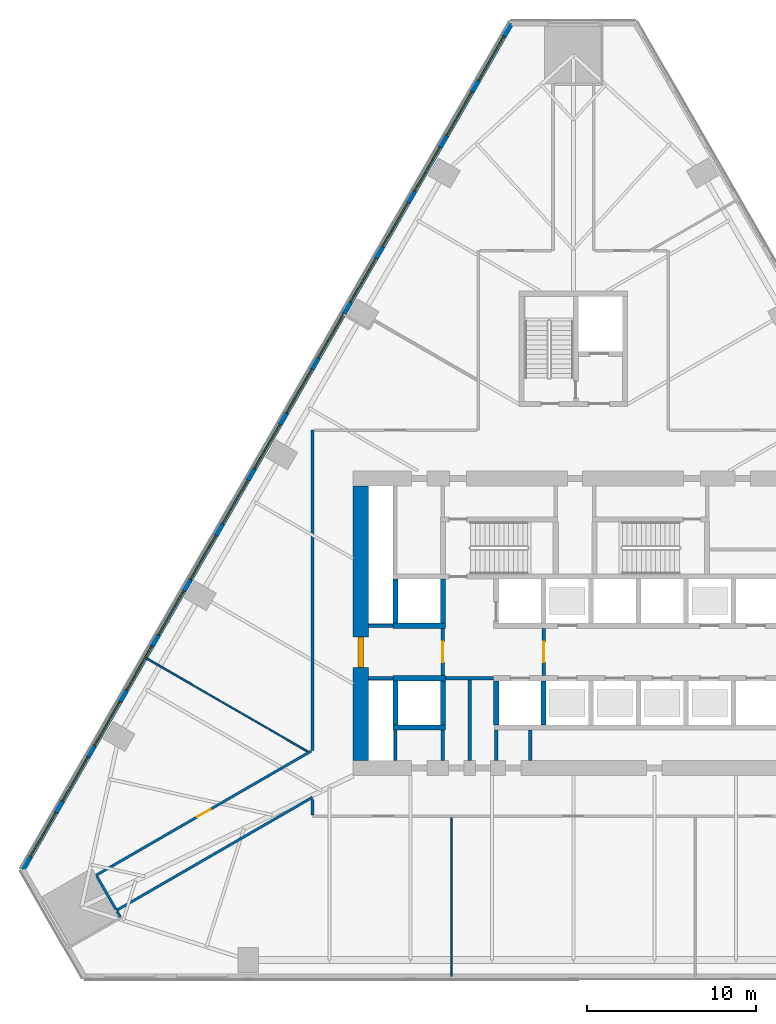
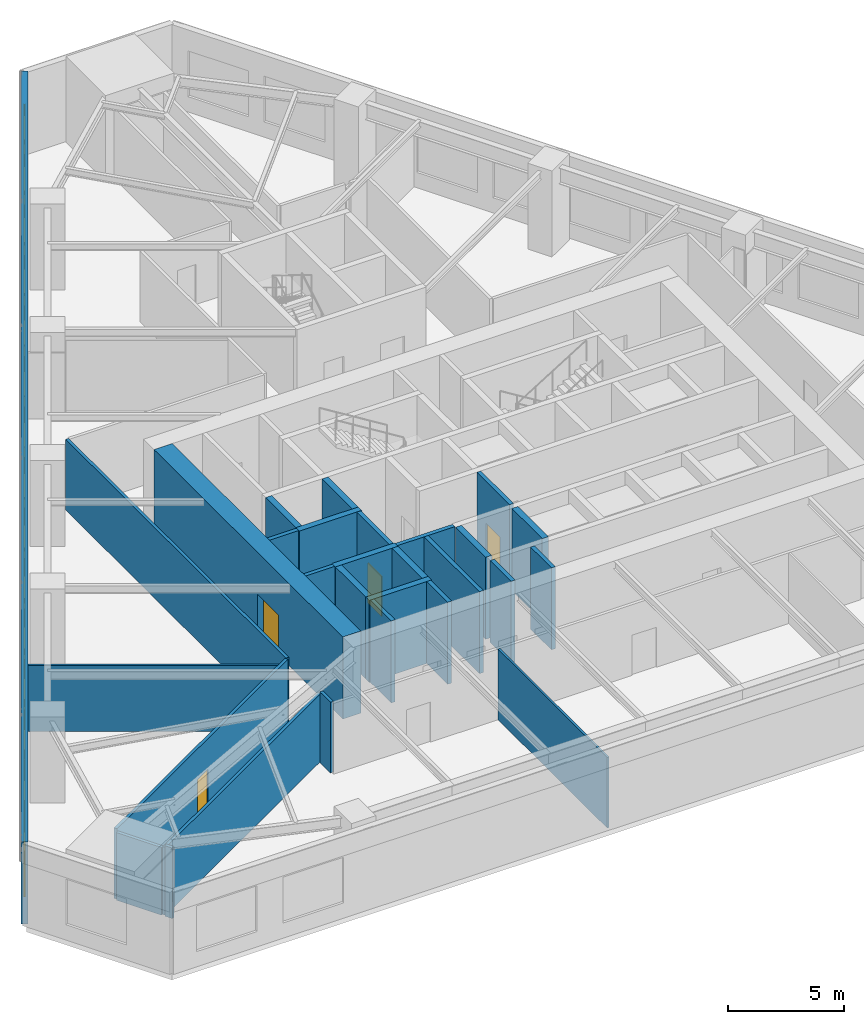
# One storey, part 3 of 14: 29 walls, 15 windows, 4 doors, 19 openings.
"""IFC4 building model written with IfcOpenShell, lengths in metres."""

from ifc_helpers import new_model, si_unit, direction, frame, frame_2d, origin, place, context, subcontext, project, spatial, rectangle, extrude, material, layer, layer_set, type_object, element, fill, save


model = new_model("IFC4")

# Units and contexts
model_context = context("Model", 3, precision=1e-05, world=origin(), true_north=direction((0.0, 1.0)))
body_context = subcontext(model_context, "Body", "Model", "MODEL_VIEW")
ifc_project = project(units=[si_unit("LENGTHUNIT", "METRE"), si_unit("AREAUNIT", "SQUARE_METRE"), si_unit("VOLUMEUNIT", "CUBIC_METRE"), si_unit("PLANEANGLEUNIT", "RADIAN"), si_unit("MASSUNIT", "GRAM", prefix="KILO")], contexts=[model_context])

# Site, building, storey
site_placement = place(None, origin())
site = spatial("IfcSite", under=ifc_project, at=site_placement, CompositionType="ELEMENT")
building_placement = place(site_placement, origin())
building = spatial("IfcBuilding", under=site, at=building_placement, Name="Firuza Gate Tower and Library", CompositionType="ELEMENT")
storey_placement = place(building_placement, frame((0.0, 0.0, 35.5)))
storey = spatial("IfcBuildingStorey", under=building, at=storey_placement, Name="L07", CompositionType="ELEMENT", Elevation=35.5)

# Walls
ifc_material_1 = material(Name="Plasterboard on steel studs", Category="steel")
ifc_layer_1 = layer(ifc_material_1, 0.199951171875)
ifc_layer_set_1 = layer_set([ifc_layer_1], Name="Core partition 200 EI 120")
wall_type_1 = type_object("IfcWallType", Name="Core partition 200 EI 120", PredefinedType="PARTITIONING", material=ifc_layer_set_1)
wall_1_placement = place(storey_placement, frame((62.89990234375, 71.75, 0.0), z_axis=(0.0, 0.0, 1.0), x_axis=(1.0, 0.0, 0.0)))
element("IfcWall", 1, at=wall_1_placement, inside=storey, type_object=wall_type_1, Name="Core partition L07 1", PredefinedType="PARTITIONING", context=body_context, shape_type="SweptSolid", body=[
    extrude(rectangle(XDim=1.4501953125, YDim=0.199951171875, at=frame_2d((0.72509765625, 0.0))), origin(), (0.0, 0.0, 1.0), 4.300048828125),
])
wall_2_placement = place(storey_placement, frame((67.449951171875, 71.75, 0.0), z_axis=(0.0, 0.0, 1.0), x_axis=(1.0, 0.0, 0.0)))
element("IfcWall", 2, at=wall_2_placement, inside=storey, type_object=wall_type_1, Name="Core partition L07 2", PredefinedType="PARTITIONING", context=body_context, shape_type="SweptSolid", body=[
    extrude(rectangle(XDim=2.85009765625, YDim=0.199951171875, at=frame_2d((1.425048828125, 0.0))), origin(), (0.0, 0.0, 1.0), 4.300048828125),
])
wall_3_placement = place(storey_placement, frame((62.89990234375, 74.85009765625, 0.0), z_axis=(0.0, 0.0, 1.0), x_axis=(1.0, 0.0, 0.0)))
element("IfcWall", 3, at=wall_3_placement, inside=storey, type_object=wall_type_1, Name="Core partition L07 3", PredefinedType="PARTITIONING", context=body_context, shape_type="SweptSolid", body=[
    extrude(rectangle(XDim=1.4501953125, YDim=0.199951171875, at=frame_2d((0.72509765625, 0.0))), origin(), (0.0, 0.0, 1.0), 4.300048828125),
])
for number, where, z_axis, x_axis, name in (
    (4, (64.5, 66.89990234375, 0.0), (0.0, 0.0, 1.0), (0.0, 1.0, 0.0), "Core partition L07 5"),
    (5, (67.300048828125, 66.89990234375, 0.0), (0.0, 0.0, 1.0), (0.0, 1.0, 0.0), "Core partition L07 7"),
):
    element("IfcWall", number, at=place(storey_placement, frame(where, z_axis=z_axis, x_axis=x_axis)), inside=storey, type_object=wall_type_1, Name=name, PredefinedType="PARTITIONING", context=body_context, shape_type="SweptSolid", body=[
        extrude(rectangle(XDim=1.800048828125, YDim=0.199951171875, at=frame_2d((0.89990234375, 0.0))), origin(), (0.0, 0.0, 1.0), 4.300048828125),
    ])
wall_4_placement = place(storey_placement, frame((68.875, 66.89990234375, 0.0), z_axis=(0.0, 0.0, 1.0), x_axis=(0.0, 1.0, 0.0)))
element("IfcWall", 6, at=wall_4_placement, inside=storey, type_object=wall_type_1, Name="Core partition L07 10", PredefinedType="PARTITIONING", context=body_context, shape_type="SweptSolid", body=[
    extrude(rectangle(XDim=4.75, YDim=0.199951171875, at=frame_2d((2.375, 0.0))), origin(), (0.0, 0.0, 1.0), 4.300048828125),
])
for number, where, z_axis, x_axis, name in (
    (7, (70.449951171875, 66.89990234375, 0.0), (0.0, 0.0, 1.0), (0.0, 1.0, 0.0), "Core partition L07 11"),
    (8, (72.447998046875, 66.89990234375, 0.0), (0.0, 0.0, 1.0), (0.0, 1.0, 0.0), "Core partition L07 12"),
):
    element("IfcWall", number, at=place(storey_placement, frame(where, z_axis=z_axis, x_axis=x_axis)), inside=storey, type_object=wall_type_1, Name=name, PredefinedType="PARTITIONING", context=body_context, shape_type="SweptSolid", body=[
        extrude(rectangle(XDim=1.800048828125, YDim=0.199951171875, at=frame_2d((0.89990234375, 0.0))), origin(), (0.0, 0.0, 1.0), 4.300048828125),
    ])

# Wall, opening, door
ifc_material_2 = material(Name="Plasterboard on steel studs", Category="steel")
ifc_layer_2 = layer(ifc_material_2, 0.199951171875)
ifc_layer_set_2 = layer_set([ifc_layer_2], Name="Core partition 200 EI 60")
wall_type_2 = type_object("IfcWallType", Name="Core partition 200 EI 60", PredefinedType="PARTITIONING", material=ifc_layer_set_2)
wall_5_placement = place(storey_placement, frame((67.300048828125, 71.89990234375, 0.0), z_axis=(0.0, 0.0, 1.0), x_axis=(0.0, 1.0, 0.0)))
wall_5 = element("IfcWall", 9, at=wall_5_placement, inside=storey, type_object=wall_type_2, Name="Core partition L07 8", PredefinedType="PARTITIONING", context=body_context, shape_type="SweptSolid", body=[
    extrude(rectangle(XDim=2.800048828125, YDim=0.199951171875, at=frame_2d((1.39990234375, 0.0))), origin(), (0.0, 0.0, 1.0), 4.300048828125),
])
opening_1_placement = place(wall_5_placement, frame((0.800048828125, 0.0, 0.0)))
opening_1 = element("IfcOpeningElement", 10, at=opening_1_placement, cuts=wall_5, Name="Opening L07-K21", PredefinedType="OPENING", context=body_context, shape_type="SweptSolid", body=[
    extrude(rectangle(XDim=1.199951171875, YDim=2.10009765625, at=frame_2d((0.60009765625, 1.050048828125))), frame((0.0, 0.10986328125, 0.0), z_axis=(0.0, -1.0, 0.0), x_axis=(1.0, 0.0, 0.0)), (0.0, 0.0, 1.0), 0.219970703125),
])
ifc_material_3 = material(Name="Steel", Category="steel")
door_type_1 = type_object("IfcDoorType", Name="Fire door 1200x2100 FD90S", OperationType="NOTDEFINED", PredefinedType="DOOR", material=ifc_material_3)
door_1_placement = place(opening_1_placement, origin())
door_1 = element("IfcDoor", 11, at=door_1_placement, inside=storey, type_object=door_type_1, Name="Door L07-K21", OperationType="SINGLE_SWING_RIGHT", OverallHeight=2.10009765625, OverallWidth=1.199951171875, PredefinedType="DOOR", context=body_context, shape_type="SweptSolid", body=[
    extrude(rectangle(XDim=1.199951171875, YDim=2.10009765625, at=frame_2d((0.60009765625, 1.050048828125))), frame((0.0, 0.02490234375, 0.0), z_axis=(0.0, -1.0, 0.0), x_axis=(1.0, 0.0, 0.0)), (0.0, 0.0, 1.0), 0.050048828125),
])
fill(opening_1, door_1)

wall_6_placement = place(storey_placement, frame((73.25, 71.89990234375, 0.0), z_axis=(0.0, 0.0, 1.0), x_axis=(0.0, 1.0, 0.0)))
wall_6 = element("IfcWall", 12, at=wall_6_placement, inside=storey, type_object=wall_type_2, Name="Core partition L07 13", PredefinedType="PARTITIONING", context=body_context, shape_type="SweptSolid", body=[
    extrude(rectangle(XDim=2.800048828125, YDim=0.199951171875, at=frame_2d((1.39990234375, 0.0))), origin(), (0.0, 0.0, 1.0), 4.300048828125),
])
opening_2_placement = place(wall_6_placement, frame((0.800048828125, 0.0, 0.0)))
opening_2 = element("IfcOpeningElement", 13, at=opening_2_placement, cuts=wall_6, Name="Opening L07-K20", PredefinedType="OPENING", context=body_context, shape_type="SweptSolid", body=[
    extrude(rectangle(XDim=1.199951171875, YDim=2.10009765625, at=frame_2d((0.60009765625, 1.050048828125))), frame((0.0, 0.10986328125, 0.0), z_axis=(0.0, -1.0, 0.0), x_axis=(1.0, 0.0, 0.0)), (0.0, 0.0, 1.0), 0.219970703125),
])
door_2_placement = place(opening_2_placement, origin())
door_2 = element("IfcDoor", 14, at=door_2_placement, inside=storey, type_object=door_type_1, Name="Door L07-K20", OperationType="SINGLE_SWING_LEFT", OverallHeight=2.10009765625, OverallWidth=1.199951171875, PredefinedType="DOOR", context=body_context, shape_type="SweptSolid", body=[
    extrude(rectangle(XDim=1.199951171875, YDim=2.10009765625, at=frame_2d((0.60009765625, 1.050048828125))), frame((0.0, 0.02490234375, 0.0), z_axis=(0.0, -1.0, 0.0), x_axis=(1.0, 0.0, 0.0)), (0.0, 0.0, 1.0), 0.050048828125),
])
fill(opening_2, door_2)

# Walls
ifc_material_4 = material(Name="Concrete C80/95", Category="concrete")
ifc_layer_3 = layer(ifc_material_4, 0.300048828125)
ifc_layer_set_3 = layer_set([ifc_layer_3], Name="Core wall 300 C80/95")
wall_type_3 = type_object("IfcWallType", Name="Core wall 300 C80/95", PredefinedType="SHEAR", material=ifc_layer_set_3)
for number, where, z_axis, x_axis, name in (
    (15, (64.35009765625, 68.85009765625, 0.0), (0.0, 0.0, 1.0), (1.0, 0.0, 0.0), "Core wall L07 5"),
    (16, (64.35009765625, 71.75, 0.0), (0.0, 0.0, 1.0), (1.0, 0.0, 0.0), "Core wall L07 7"),
    (17, (64.35009765625, 74.85009765625, 0.0), (0.0, 0.0, 1.0), (1.0, 0.0, 0.0), "Core wall L07 9"),
):
    element("IfcWall", number, at=place(storey_placement, frame(where, z_axis=z_axis, x_axis=x_axis)), inside=storey, type_object=wall_type_3, Name=name, PredefinedType="SHEAR", context=body_context, shape_type="SweptSolid", body=[
        extrude(rectangle(XDim=3.099853515625, YDim=0.300048828125, at=frame_2d((1.5498046875, 0.0))), origin(), (0.0, 0.0, 1.0), 4.300048828125),
    ])
for number, where, z_axis, x_axis, name in (
    (18, (64.5, 69.0, 0.0), (0.0, 0.0, 1.0), (0.0, 1.0, 0.0), "Core wall L07 11"),
    (19, (64.5, 75.0, 0.0), (0.0, 0.0, 1.0), (0.0, 1.0, 0.0), "Core wall L07 12"),
    (20, (67.300048828125, 69.0, 0.0), (0.0, 0.0, 1.0), (0.0, 1.0, 0.0), "Core wall L07 13"),
    (21, (67.300048828125, 75.0, 0.0), (0.0, 0.0, 1.0), (0.0, 1.0, 0.0), "Core wall L07 14"),
    (22, (70.449951171875, 69.0, 0.0), (0.0, 0.0, 1.0), (0.0, 1.0, 0.0), "Core wall L07 15"),
    (23, (73.25, 69.0, 0.0), (0.0, 0.0, 1.0), (0.0, 1.0, 0.0), "Core wall L07 17"),
):
    element("IfcWall", number, at=place(storey_placement, frame(where, z_axis=z_axis, x_axis=x_axis)), inside=storey, type_object=wall_type_3, Name=name, PredefinedType="SHEAR", context=body_context, shape_type="SweptSolid", body=[
        extrude(rectangle(XDim=2.60009765625, YDim=0.300048828125, at=frame_2d((1.300048828125, 0.0))), origin(), (0.0, 0.0, 1.0), 4.300048828125),
    ])

# Wall, opening, door
ifc_material_5 = material(Name="Concrete C80/95", Category="concrete")
ifc_layer_4 = layer(ifc_material_5, 0.89990234375)
ifc_layer_set_4 = layer_set([ifc_layer_4], Name="Core wall 900 C80/95")
wall_type_4 = type_object("IfcWallType", Name="Core wall 900 C80/95", PredefinedType="SHEAR", material=ifc_layer_set_4)
wall_7_placement = place(storey_placement, frame((62.449951171875, 66.89990234375, 0.0), z_axis=(0.0, 0.0, 1.0), x_axis=(0.0, 1.0, 0.0)))
wall_7 = element("IfcWall", 24, at=wall_7_placement, inside=storey, type_object=wall_type_4, Name="Core wall L07 3", PredefinedType="SHEAR", context=body_context, shape_type="SweptSolid", body=[
    extrude(rectangle(XDim=16.2001953125, YDim=0.89990234375, at=frame_2d((8.10009765625, 0.0))), origin(), (0.0, 0.0, 1.0), 4.300048828125),
])
opening_3_placement = place(wall_7_placement, frame((5.5, 0.0, 0.0)))
opening_3 = element("IfcOpeningElement", 25, at=opening_3_placement, cuts=wall_7, Name="Opening L07-K22", PredefinedType="OPENING", context=body_context, shape_type="SweptSolid", body=[
    extrude(rectangle(XDim=1.800048828125, YDim=2.10009765625, at=frame_2d((0.89990234375, 1.050048828125))), frame((0.0, 0.4599609375, 0.0), z_axis=(0.0, -1.0, 0.0), x_axis=(1.0, 0.0, 0.0)), (0.0, 0.0, 1.0), 0.919921875),
])
ifc_material_6 = material(Name="Steel", Category="steel")
door_type_2 = type_object("IfcDoorType", Name="Fire door 1800x2100 FD30S", OperationType="NOTDEFINED", PredefinedType="DOOR", material=ifc_material_6)
door_3_placement = place(opening_3_placement, origin())
door_3 = element("IfcDoor", 26, at=door_3_placement, inside=storey, type_object=door_type_2, Name="Door L07-K22", OperationType="SINGLE_SWING_LEFT", OverallHeight=2.10009765625, OverallWidth=1.800048828125, PredefinedType="DOOR", context=body_context, shape_type="SweptSolid", body=[
    extrude(rectangle(XDim=1.800048828125, YDim=2.10009765625, at=frame_2d((0.89990234375, 1.050048828125))), frame((0.0, 0.169921875, 0.0), z_axis=(0.0, -1.0, 0.0), x_axis=(1.0, 0.0, 0.0)), (0.0, 0.0, 1.0), 0.33984375),
])
fill(opening_3, door_3)

# Wall
ifc_material_7 = material(Name="Gypsum board partition")
ifc_layer_5 = layer(ifc_material_7, 0.14990234375)
ifc_layer_set_5 = layer_set([ifc_layer_5], Name="Corridor wall 150 double board on steel studs")
wall_type_5 = type_object("IfcWallType", Name="Corridor wall 150 double board on steel studs", PredefinedType="PARTITIONING", material=ifc_layer_set_5)
wall_8_placement = place(storey_placement, frame((48.031005859375, 58.0439453125, 0.0), z_axis=(0.0, 0.0, 1.0), x_axis=(0.866027935033, 0.499995615723, 0.0)))
element("IfcWall", 27, at=wall_8_placement, inside=storey, type_object=wall_type_5, Name="f:L07:w008", PredefinedType="PARTITIONING", context=body_context, shape_type="SweptSolid", body=[
    extrude(rectangle(XDim=13.3583984375, YDim=0.14990234375, at=frame_2d((6.67919921875, 0.0))), origin(), (0.0, 0.0, 1.0), 3.547119140625),
])

# Wall, opening, door
wall_9_placement = place(storey_placement, frame((46.83154296875, 60.12255859375, 0.0), z_axis=(0.0, 0.0, 1.0), x_axis=(0.866022484069, 0.500005057062, 0.0)))
wall_9 = element("IfcWall", 28, at=wall_9_placement, inside=storey, type_object=wall_type_5, Name="f:L07:w011", PredefinedType="PARTITIONING", context=body_context, shape_type="SweptSolid", body=[
    extrude(rectangle(XDim=14.656982421875, YDim=0.14990234375, at=frame_2d((7.32861328125, 0.0))), origin(), (0.0, 0.0, 1.0), 3.699951171875),
])
opening_4_placement = place(wall_9_placement, frame((6.878662109375, 0.0, 0.0)))
opening_4 = element("IfcOpeningElement", 29, at=opening_4_placement, cuts=wall_9, Name="Opening L07-08", PredefinedType="OPENING", context=body_context, shape_type="SweptSolid", body=[
    extrude(rectangle(XDim=0.89990234375, YDim=2.10009765625, at=frame_2d((0.449951171875, 1.050048828125))), frame((0.0, 0.0849609375, 0.0), z_axis=(0.0, -1.0, 0.0), x_axis=(1.0, 0.0, 0.0)), (0.0, 0.0, 1.0), 0.169921875),
])
ifc_material_8 = material(Name="Steel door and timber leaf", Category="steel")
door_type_3 = type_object("IfcDoorType", Name="Fire door 900 x 2100 steel frame, timber leaf", OperationType="NOTDEFINED", PredefinedType="DOOR", material=ifc_material_8)
door_4_placement = place(opening_4_placement, origin())
door_4 = element("IfcDoor", 30, at=door_4_placement, inside=storey, type_object=door_type_3, Name="f:L07:d008", OperationType="SINGLE_SWING_RIGHT", OverallHeight=2.10009765625, OverallWidth=0.89990234375, PredefinedType="DOOR", context=body_context, shape_type="SweptSolid", body=[
    extrude(rectangle(XDim=0.89990234375, YDim=2.10009765625, at=frame_2d((0.449951171875, 1.050048828125))), frame((0.0, 0.02490234375, 0.0), z_axis=(0.0, -1.0, 0.0), x_axis=(1.0, 0.0, 0.0)), (0.0, 0.0, 1.0), 0.050048828125),
])
fill(opening_4, door_4)

# Walls
wall_10_placement = place(storey_placement, frame((59.60009765625, 63.675537109375, 0.0), z_axis=(0.0, 0.0, 1.0), x_axis=(0.0, 1.0, 0.0)))
element("IfcWall", 31, at=wall_10_placement, inside=storey, type_object=wall_type_5, Name="f:L07:w026", PredefinedType="PARTITIONING", context=body_context, shape_type="SweptSolid", body=[
    extrude(rectangle(XDim=0.9111328125, YDim=0.14990234375, at=frame_2d((0.45556640625, 0.0))), origin(), (0.0, 0.0, 1.0), 3.699951171875),
])
wall_11_placement = place(storey_placement, frame((59.60009765625, 67.494384765625, 0.0), z_axis=(0.0, 0.0, 1.0), x_axis=(0.0, 1.0, 0.0)))
element("IfcWall", 32, at=wall_11_placement, inside=storey, type_object=wall_type_5, Name="f:L07:w027", PredefinedType="PARTITIONING", context=body_context, shape_type="SweptSolid", body=[
    extrude(rectangle(XDim=18.905029296875, YDim=0.14990234375, at=frame_2d((9.45263671875, 0.0))), origin(), (0.0, 0.0, 1.0), 3.699951171875),
])
wall_12_placement = place(storey_placement, frame((48.255859375, 57.654541015625, 0.0), z_axis=(0.0, 0.0, 1.0), x_axis=(-0.499854089722, 0.866109628736, 0.0)))
element("IfcWall", 33, at=wall_12_placement, inside=storey, type_object=wall_type_5, Name="f:L07:w029", PredefinedType="PARTITIONING", context=body_context, shape_type="SweptSolid", body=[
    extrude(rectangle(XDim=0.37451171875, YDim=0.14990234375, at=frame_2d((0.187255859375, 0.0))), origin(), (0.0, 0.0, 1.0), 3.699951171875),
])
wall_13_placement = place(storey_placement, frame((47.993408203125, 58.10888671875, 0.0), z_axis=(0.0, 0.0, 1.0), x_axis=(-0.499944821793, 0.866057258594, 0.0)))
element("IfcWall", 34, at=wall_13_placement, inside=storey, type_object=wall_type_5, Name="f:L07:w038", PredefinedType="PARTITIONING", context=body_context, shape_type="SweptSolid", body=[
    extrude(rectangle(XDim=2.249267578125, YDim=0.14990234375, at=frame_2d((1.12451171875, 0.0))), origin(), (0.0, 0.0, 1.0), 3.547119140625),
])
ifc_material_9 = material(Name="Gypsum board partition")
ifc_layer_6 = layer(ifc_material_9, 0.10009765625)
ifc_layer_set_6 = layer_set([ifc_layer_6], Name="Partition 100 gypsum board on steel studs")
wall_type_6 = type_object("IfcWallType", Name="Partition 100 gypsum board on steel studs", PredefinedType="PARTITIONING", material=ifc_layer_set_6)
wall_14_placement = place(storey_placement, frame((67.800048828125, 54.1552734375, 0.0), z_axis=(0.0, 0.0, 1.0), x_axis=(0.0, 1.0, 0.0)))
element("IfcWall", 35, at=wall_14_placement, inside=storey, type_object=wall_type_6, Name="f:L07:w025", PredefinedType="PARTITIONING", context=body_context, shape_type="SweptSolid", body=[
    extrude(rectangle(XDim=9.36962890625, YDim=0.10009765625, at=frame_2d((4.684814453125, 0.0))), origin(), (0.0, 0.0, 1.0), 3.699951171875),
])
wall_15_placement = place(storey_placement, frame((59.299072265625, 67.437255859375, 0.0), z_axis=(0.0, 0.0, 1.0), x_axis=(-0.866020403282, 0.500008661025, 0.0)))
element("IfcWall", 36, at=wall_15_placement, inside=storey, type_object=wall_type_6, Name="f:L07:w035", PredefinedType="PARTITIONING", context=body_context, shape_type="SweptSolid", body=[
    extrude(rectangle(XDim=11.026611328125, YDim=0.10009765625, at=frame_2d((5.51318359375, 0.0))), origin(), (0.0, 0.0, 1.0), 3.465087890625),
])

# Wall, openings, windows
ifc_material_10 = material(Name="Concrete C40/50", Category="concrete")
ifc_layer_7 = layer(ifc_material_10, 0.300048828125)
ifc_layer_set_7 = layer_set([ifc_layer_7], Name="Plant louvre wall 300")
wall_type_7 = type_object("IfcWallType", Name="Plant louvre wall 300", PredefinedType="SOLIDWALL", material=ifc_layer_set_7)
wall_16_placement = place(storey_placement, frame((71.34814453125, 110.423828125, 0.0), z_axis=(0.0, 0.0, 1.0), x_axis=(-0.500000550228, -0.86602508611, 0.0)))
wall_16 = element("IfcWall", 37, at=wall_16_placement, inside=storey, type_object=wall_type_7, Name="Plant louvre wall 5", PredefinedType="SOLIDWALL", context=body_context, shape_type="SweptSolid", body=[
    extrude(rectangle(XDim=57.7041015625, YDim=0.300048828125, at=frame_2d((28.85205078125, 0.0))), origin(), (0.0, 0.0, 1.0), 4.300048828125),
])
opening_5_placement = place(wall_16_placement, frame((0.89013671875, 0.0, 0.800048828125)))
opening_5 = element("IfcOpeningElement", 38, at=opening_5_placement, cuts=wall_16, Name="Opening WD3-022", PredefinedType="OPENING", context=body_context, shape_type="SweptSolid", body=[
    extrude(rectangle(XDim=3.0, YDim=2.39990234375, at=frame_2d((1.5, 1.199951171875))), frame((0.0, 0.16015625, 0.0), z_axis=(0.0, -1.0, 0.0), x_axis=(1.0, 0.0, 0.0)), (0.0, 0.0, 1.0), 0.320068359375),
])
opening_6_placement = place(wall_16_placement, frame((4.67041015625, 0.0, 0.800048828125)))
opening_6 = element("IfcOpeningElement", 39, at=opening_6_placement, cuts=wall_16, Name="Opening WD3-023", PredefinedType="OPENING", context=body_context, shape_type="SweptSolid", body=[
    extrude(rectangle(XDim=3.0, YDim=2.39990234375, at=frame_2d((1.5, 1.199951171875))), frame((0.0, 0.16015625, 0.0), z_axis=(0.0, -1.0, 0.0), x_axis=(1.0, 0.0, 0.0)), (0.0, 0.0, 1.0), 0.320068359375),
])
opening_7_placement = place(wall_16_placement, frame((8.45068359375, 0.0, 0.800048828125)))
opening_7 = element("IfcOpeningElement", 40, at=opening_7_placement, cuts=wall_16, Name="Opening WD3-024", PredefinedType="OPENING", context=body_context, shape_type="SweptSolid", body=[
    extrude(rectangle(XDim=3.0, YDim=2.39990234375, at=frame_2d((1.5, 1.199951171875))), frame((0.0, 0.16015625, 0.0), z_axis=(0.0, -1.0, 0.0), x_axis=(1.0, 0.0, 0.0)), (0.0, 0.0, 1.0), 0.320068359375),
])
opening_8_placement = place(wall_16_placement, frame((12.23095703125, 0.0, 0.800048828125)))
opening_8 = element("IfcOpeningElement", 41, at=opening_8_placement, cuts=wall_16, Name="Opening WD3-025", PredefinedType="OPENING", context=body_context, shape_type="SweptSolid", body=[
    extrude(rectangle(XDim=3.0, YDim=2.39990234375, at=frame_2d((1.5, 1.199951171875))), frame((0.0, 0.16015625, 0.0), z_axis=(0.0, -1.0, 0.0), x_axis=(1.0, 0.0, 0.0)), (0.0, 0.0, 1.0), 0.320068359375),
])
opening_9_placement = place(wall_16_placement, frame((16.01123046875, 0.0, 0.800048828125)))
opening_9 = element("IfcOpeningElement", 42, at=opening_9_placement, cuts=wall_16, Name="Opening WD3-026", PredefinedType="OPENING", context=body_context, shape_type="SweptSolid", body=[
    extrude(rectangle(XDim=3.0, YDim=2.39990234375, at=frame_2d((1.5, 1.199951171875))), frame((0.0, 0.16015625, 0.0), z_axis=(0.0, -1.0, 0.0), x_axis=(1.0, 0.0, 0.0)), (0.0, 0.0, 1.0), 0.320068359375),
])
opening_10_placement = place(wall_16_placement, frame((19.79150390625, 0.0, 0.800048828125)))
opening_10 = element("IfcOpeningElement", 43, at=opening_10_placement, cuts=wall_16, Name="Opening WD3-027", PredefinedType="OPENING", context=body_context, shape_type="SweptSolid", body=[
    extrude(rectangle(XDim=3.0, YDim=2.39990234375, at=frame_2d((1.5, 1.199951171875))), frame((0.0, 0.16015625, 0.0), z_axis=(0.0, -1.0, 0.0), x_axis=(1.0, 0.0, 0.0)), (0.0, 0.0, 1.0), 0.320068359375),
])
opening_11_placement = place(wall_16_placement, frame((23.57177734375, 0.0, 0.800048828125)))
opening_11 = element("IfcOpeningElement", 44, at=opening_11_placement, cuts=wall_16, Name="Opening WD3-028", PredefinedType="OPENING", context=body_context, shape_type="SweptSolid", body=[
    extrude(rectangle(XDim=3.0, YDim=2.39990234375, at=frame_2d((1.5, 1.199951171875))), frame((0.0, 0.16015625, 0.0), z_axis=(0.0, -1.0, 0.0), x_axis=(1.0, 0.0, 0.0)), (0.0, 0.0, 1.0), 0.320068359375),
])
opening_12_placement = place(wall_16_placement, frame((27.35205078125, 0.0, 0.800048828125)))
opening_12 = element("IfcOpeningElement", 45, at=opening_12_placement, cuts=wall_16, Name="Opening WD3-029", PredefinedType="OPENING", context=body_context, shape_type="SweptSolid", body=[
    extrude(rectangle(XDim=3.0, YDim=2.39990234375, at=frame_2d((1.5, 1.199951171875))), frame((0.0, 0.16015625, 0.0), z_axis=(0.0, -1.0, 0.0), x_axis=(1.0, 0.0, 0.0)), (0.0, 0.0, 1.0), 0.320068359375),
])
opening_13_placement = place(wall_16_placement, frame((31.13232421875, 0.0, 0.800048828125)))
opening_13 = element("IfcOpeningElement", 46, at=opening_13_placement, cuts=wall_16, Name="Opening WD3-030", PredefinedType="OPENING", context=body_context, shape_type="SweptSolid", body=[
    extrude(rectangle(XDim=3.0, YDim=2.39990234375, at=frame_2d((1.5, 1.199951171875))), frame((0.0, 0.16015625, 0.0), z_axis=(0.0, -1.0, 0.0), x_axis=(1.0, 0.0, 0.0)), (0.0, 0.0, 1.0), 0.320068359375),
])
opening_14_placement = place(wall_16_placement, frame((34.91259765625, 0.0, 0.800048828125)))
opening_14 = element("IfcOpeningElement", 47, at=opening_14_placement, cuts=wall_16, Name="Opening WD3-031", PredefinedType="OPENING", context=body_context, shape_type="SweptSolid", body=[
    extrude(rectangle(XDim=3.0, YDim=2.39990234375, at=frame_2d((1.5, 1.199951171875))), frame((0.0, 0.16015625, 0.0), z_axis=(0.0, -1.0, 0.0), x_axis=(1.0, 0.0, 0.0)), (0.0, 0.0, 1.0), 0.320068359375),
])
opening_15_placement = place(wall_16_placement, frame((38.692626953125, 0.0, 0.800048828125)))
opening_15 = element("IfcOpeningElement", 48, at=opening_15_placement, cuts=wall_16, Name="Opening WD3-032", PredefinedType="OPENING", context=body_context, shape_type="SweptSolid", body=[
    extrude(rectangle(XDim=3.0, YDim=2.39990234375, at=frame_2d((1.5, 1.199951171875))), frame((0.0, 0.16015625, 0.0), z_axis=(0.0, -1.0, 0.0), x_axis=(1.0, 0.0, 0.0)), (0.0, 0.0, 1.0), 0.320068359375),
])
opening_16_placement = place(wall_16_placement, frame((42.472900390625, 0.0, 0.800048828125)))
opening_16 = element("IfcOpeningElement", 49, at=opening_16_placement, cuts=wall_16, Name="Opening WD3-033", PredefinedType="OPENING", context=body_context, shape_type="SweptSolid", body=[
    extrude(rectangle(XDim=3.0, YDim=2.39990234375, at=frame_2d((1.5, 1.199951171875))), frame((0.0, 0.16015625, 0.0), z_axis=(0.0, -1.0, 0.0), x_axis=(1.0, 0.0, 0.0)), (0.0, 0.0, 1.0), 0.320068359375),
])
opening_17_placement = place(wall_16_placement, frame((46.253173828125, 0.0, 0.800048828125)))
opening_17 = element("IfcOpeningElement", 50, at=opening_17_placement, cuts=wall_16, Name="Opening WD3-034", PredefinedType="OPENING", context=body_context, shape_type="SweptSolid", body=[
    extrude(rectangle(XDim=3.0, YDim=2.39990234375, at=frame_2d((1.5, 1.199951171875))), frame((0.0, 0.16015625, 0.0), z_axis=(0.0, -1.0, 0.0), x_axis=(1.0, 0.0, 0.0)), (0.0, 0.0, 1.0), 0.320068359375),
])
opening_18_placement = place(wall_16_placement, frame((50.033447265625, 0.0, 0.800048828125)))
opening_18 = element("IfcOpeningElement", 51, at=opening_18_placement, cuts=wall_16, Name="Opening WD3-035", PredefinedType="OPENING", context=body_context, shape_type="SweptSolid", body=[
    extrude(rectangle(XDim=3.0, YDim=2.39990234375, at=frame_2d((1.5, 1.199951171875))), frame((0.0, 0.16015625, 0.0), z_axis=(0.0, -1.0, 0.0), x_axis=(1.0, 0.0, 0.0)), (0.0, 0.0, 1.0), 0.320068359375),
])
opening_19_placement = place(wall_16_placement, frame((53.813720703125, 0.0, 0.800048828125)))
opening_19 = element("IfcOpeningElement", 52, at=opening_19_placement, cuts=wall_16, Name="Opening WD3-036", PredefinedType="OPENING", context=body_context, shape_type="SweptSolid", body=[
    extrude(rectangle(XDim=3.0, YDim=2.39990234375, at=frame_2d((1.5, 1.199951171875))), frame((0.0, 0.16015625, 0.0), z_axis=(0.0, -1.0, 0.0), x_axis=(1.0, 0.0, 0.0)), (0.0, 0.0, 1.0), 0.320068359375),
])
ifc_material_11 = material(Name="Aluminium 6063-T6", Category="aluminium")
window_type = type_object("IfcWindowType", Name="Plant louvre 3000x2400", PartitioningType="SINGLE_PANEL", PredefinedType="WINDOW", material=ifc_material_11)
window_1_placement = place(opening_5_placement, origin())
window_1 = element("IfcWindow", 53, at=window_1_placement, inside=storey, type_object=window_type, Name="e:pwall:L07:4/L0", OverallHeight=2.39990234375, OverallWidth=3.0, PartitioningType="SINGLE_PANEL", PredefinedType="WINDOW", context=body_context, shape_type="SweptSolid", body=[
    extrude(rectangle(XDim=3.0, YDim=2.39990234375, at=frame_2d((1.5, 1.199951171875))), frame((0.0, 0.030029296875, 0.0), z_axis=(0.0, -1.0, 0.0), x_axis=(1.0, 0.0, 0.0)), (0.0, 0.0, 1.0), 0.06005859375),
])
fill(opening_5, window_1)
window_2_placement = place(opening_6_placement, origin())
window_2 = element("IfcWindow", 54, at=window_2_placement, inside=storey, type_object=window_type, Name="e:pwall:L07:4/L1", OverallHeight=2.39990234375, OverallWidth=3.0, PartitioningType="SINGLE_PANEL", PredefinedType="WINDOW", context=body_context, shape_type="SweptSolid", body=[
    extrude(rectangle(XDim=3.0, YDim=2.39990234375, at=frame_2d((1.5, 1.199951171875))), frame((0.0, 0.030029296875, 0.0), z_axis=(0.0, -1.0, 0.0), x_axis=(1.0, 0.0, 0.0)), (0.0, 0.0, 1.0), 0.06005859375),
])
fill(opening_6, window_2)
window_3_placement = place(opening_7_placement, origin())
window_3 = element("IfcWindow", 55, at=window_3_placement, inside=storey, type_object=window_type, Name="e:pwall:L07:4/L2", OverallHeight=2.39990234375, OverallWidth=3.0, PartitioningType="SINGLE_PANEL", PredefinedType="WINDOW", context=body_context, shape_type="SweptSolid", body=[
    extrude(rectangle(XDim=3.0, YDim=2.39990234375, at=frame_2d((1.5, 1.199951171875))), frame((0.0, 0.030029296875, 0.0), z_axis=(0.0, -1.0, 0.0), x_axis=(1.0, 0.0, 0.0)), (0.0, 0.0, 1.0), 0.06005859375),
])
fill(opening_7, window_3)
window_4_placement = place(opening_8_placement, origin())
window_4 = element("IfcWindow", 56, at=window_4_placement, inside=storey, type_object=window_type, Name="e:pwall:L07:4/L3", OverallHeight=2.39990234375, OverallWidth=3.0, PartitioningType="SINGLE_PANEL", PredefinedType="WINDOW", context=body_context, shape_type="SweptSolid", body=[
    extrude(rectangle(XDim=3.0, YDim=2.39990234375, at=frame_2d((1.5, 1.199951171875))), frame((0.0, 0.030029296875, 0.0), z_axis=(0.0, -1.0, 0.0), x_axis=(1.0, 0.0, 0.0)), (0.0, 0.0, 1.0), 0.06005859375),
])
fill(opening_8, window_4)
window_5_placement = place(opening_9_placement, origin())
window_5 = element("IfcWindow", 57, at=window_5_placement, inside=storey, type_object=window_type, Name="e:pwall:L07:4/L4", OverallHeight=2.39990234375, OverallWidth=3.0, PartitioningType="SINGLE_PANEL", PredefinedType="WINDOW", context=body_context, shape_type="SweptSolid", body=[
    extrude(rectangle(XDim=3.0, YDim=2.39990234375, at=frame_2d((1.5, 1.199951171875))), frame((0.0, 0.030029296875, 0.0), z_axis=(0.0, -1.0, 0.0), x_axis=(1.0, 0.0, 0.0)), (0.0, 0.0, 1.0), 0.06005859375),
])
fill(opening_9, window_5)
window_6_placement = place(opening_10_placement, origin())
window_6 = element("IfcWindow", 58, at=window_6_placement, inside=storey, type_object=window_type, Name="e:pwall:L07:4/L5", OverallHeight=2.39990234375, OverallWidth=3.0, PartitioningType="SINGLE_PANEL", PredefinedType="WINDOW", context=body_context, shape_type="SweptSolid", body=[
    extrude(rectangle(XDim=3.0, YDim=2.39990234375, at=frame_2d((1.5, 1.199951171875))), frame((0.0, 0.030029296875, 0.0), z_axis=(0.0, -1.0, 0.0), x_axis=(1.0, 0.0, 0.0)), (0.0, 0.0, 1.0), 0.06005859375),
])
fill(opening_10, window_6)
window_7_placement = place(opening_11_placement, origin())
window_7 = element("IfcWindow", 59, at=window_7_placement, inside=storey, type_object=window_type, Name="e:pwall:L07:4/L6", OverallHeight=2.39990234375, OverallWidth=3.0, PartitioningType="SINGLE_PANEL", PredefinedType="WINDOW", context=body_context, shape_type="SweptSolid", body=[
    extrude(rectangle(XDim=3.0, YDim=2.39990234375, at=frame_2d((1.5, 1.199951171875))), frame((0.0, 0.030029296875, 0.0), z_axis=(0.0, -1.0, 0.0), x_axis=(1.0, 0.0, 0.0)), (0.0, 0.0, 1.0), 0.06005859375),
])
fill(opening_11, window_7)
window_8_placement = place(opening_12_placement, origin())
window_8 = element("IfcWindow", 60, at=window_8_placement, inside=storey, type_object=window_type, Name="e:pwall:L07:4/L7", OverallHeight=2.39990234375, OverallWidth=3.0, PartitioningType="SINGLE_PANEL", PredefinedType="WINDOW", context=body_context, shape_type="SweptSolid", body=[
    extrude(rectangle(XDim=3.0, YDim=2.39990234375, at=frame_2d((1.5, 1.199951171875))), frame((0.0, 0.030029296875, 0.0), z_axis=(0.0, -1.0, 0.0), x_axis=(1.0, 0.0, 0.0)), (0.0, 0.0, 1.0), 0.06005859375),
])
fill(opening_12, window_8)
window_9_placement = place(opening_13_placement, origin())
window_9 = element("IfcWindow", 61, at=window_9_placement, inside=storey, type_object=window_type, Name="e:pwall:L07:4/L8", OverallHeight=2.39990234375, OverallWidth=3.0, PartitioningType="SINGLE_PANEL", PredefinedType="WINDOW", context=body_context, shape_type="SweptSolid", body=[
    extrude(rectangle(XDim=3.0, YDim=2.39990234375, at=frame_2d((1.5, 1.199951171875))), frame((0.0, 0.030029296875, 0.0), z_axis=(0.0, -1.0, 0.0), x_axis=(1.0, 0.0, 0.0)), (0.0, 0.0, 1.0), 0.06005859375),
])
fill(opening_13, window_9)
window_10_placement = place(opening_14_placement, origin())
window_10 = element("IfcWindow", 62, at=window_10_placement, inside=storey, type_object=window_type, Name="e:pwall:L07:4/L9", OverallHeight=2.39990234375, OverallWidth=3.0, PartitioningType="SINGLE_PANEL", PredefinedType="WINDOW", context=body_context, shape_type="SweptSolid", body=[
    extrude(rectangle(XDim=3.0, YDim=2.39990234375, at=frame_2d((1.5, 1.199951171875))), frame((0.0, 0.030029296875, 0.0), z_axis=(0.0, -1.0, 0.0), x_axis=(1.0, 0.0, 0.0)), (0.0, 0.0, 1.0), 0.06005859375),
])
fill(opening_14, window_10)
window_11_placement = place(opening_15_placement, origin())
window_11 = element("IfcWindow", 63, at=window_11_placement, inside=storey, type_object=window_type, Name="e:pwall:L07:4/L10", OverallHeight=2.39990234375, OverallWidth=3.0, PartitioningType="SINGLE_PANEL", PredefinedType="WINDOW", context=body_context, shape_type="SweptSolid", body=[
    extrude(rectangle(XDim=3.0, YDim=2.39990234375, at=frame_2d((1.5, 1.199951171875))), frame((0.0, 0.030029296875, 0.0), z_axis=(0.0, -1.0, 0.0), x_axis=(1.0, 0.0, 0.0)), (0.0, 0.0, 1.0), 0.06005859375),
])
fill(opening_15, window_11)
window_12_placement = place(opening_16_placement, origin())
window_12 = element("IfcWindow", 64, at=window_12_placement, inside=storey, type_object=window_type, Name="e:pwall:L07:4/L11", OverallHeight=2.39990234375, OverallWidth=3.0, PartitioningType="SINGLE_PANEL", PredefinedType="WINDOW", context=body_context, shape_type="SweptSolid", body=[
    extrude(rectangle(XDim=3.0, YDim=2.39990234375, at=frame_2d((1.5, 1.199951171875))), frame((0.0, 0.030029296875, 0.0), z_axis=(0.0, -1.0, 0.0), x_axis=(1.0, 0.0, 0.0)), (0.0, 0.0, 1.0), 0.06005859375),
])
fill(opening_16, window_12)
window_13_placement = place(opening_17_placement, origin())
window_13 = element("IfcWindow", 65, at=window_13_placement, inside=storey, type_object=window_type, Name="e:pwall:L07:4/L12", OverallHeight=2.39990234375, OverallWidth=3.0, PartitioningType="SINGLE_PANEL", PredefinedType="WINDOW", context=body_context, shape_type="SweptSolid", body=[
    extrude(rectangle(XDim=3.0, YDim=2.39990234375, at=frame_2d((1.5, 1.199951171875))), frame((0.0, 0.030029296875, 0.0), z_axis=(0.0, -1.0, 0.0), x_axis=(1.0, 0.0, 0.0)), (0.0, 0.0, 1.0), 0.06005859375),
])
fill(opening_17, window_13)
window_14_placement = place(opening_18_placement, origin())
window_14 = element("IfcWindow", 66, at=window_14_placement, inside=storey, type_object=window_type, Name="e:pwall:L07:4/L13", OverallHeight=2.39990234375, OverallWidth=3.0, PartitioningType="SINGLE_PANEL", PredefinedType="WINDOW", context=body_context, shape_type="SweptSolid", body=[
    extrude(rectangle(XDim=3.0, YDim=2.39990234375, at=frame_2d((1.5, 1.199951171875))), frame((0.0, 0.030029296875, 0.0), z_axis=(0.0, -1.0, 0.0), x_axis=(1.0, 0.0, 0.0)), (0.0, 0.0, 1.0), 0.06005859375),
])
fill(opening_18, window_14)
window_15_placement = place(opening_19_placement, origin())
window_15 = element("IfcWindow", 67, at=window_15_placement, inside=storey, type_object=window_type, Name="e:pwall:L07:4/L14", OverallHeight=2.39990234375, OverallWidth=3.0, PartitioningType="SINGLE_PANEL", PredefinedType="WINDOW", context=body_context, shape_type="SweptSolid", body=[
    extrude(rectangle(XDim=3.0, YDim=2.39990234375, at=frame_2d((1.5, 1.199951171875))), frame((0.0, 0.030029296875, 0.0), z_axis=(0.0, -1.0, 0.0), x_axis=(1.0, 0.0, 0.0)), (0.0, 0.0, 1.0), 0.06005859375),
])
fill(opening_19, window_15)

save(model, "model.ifc")
